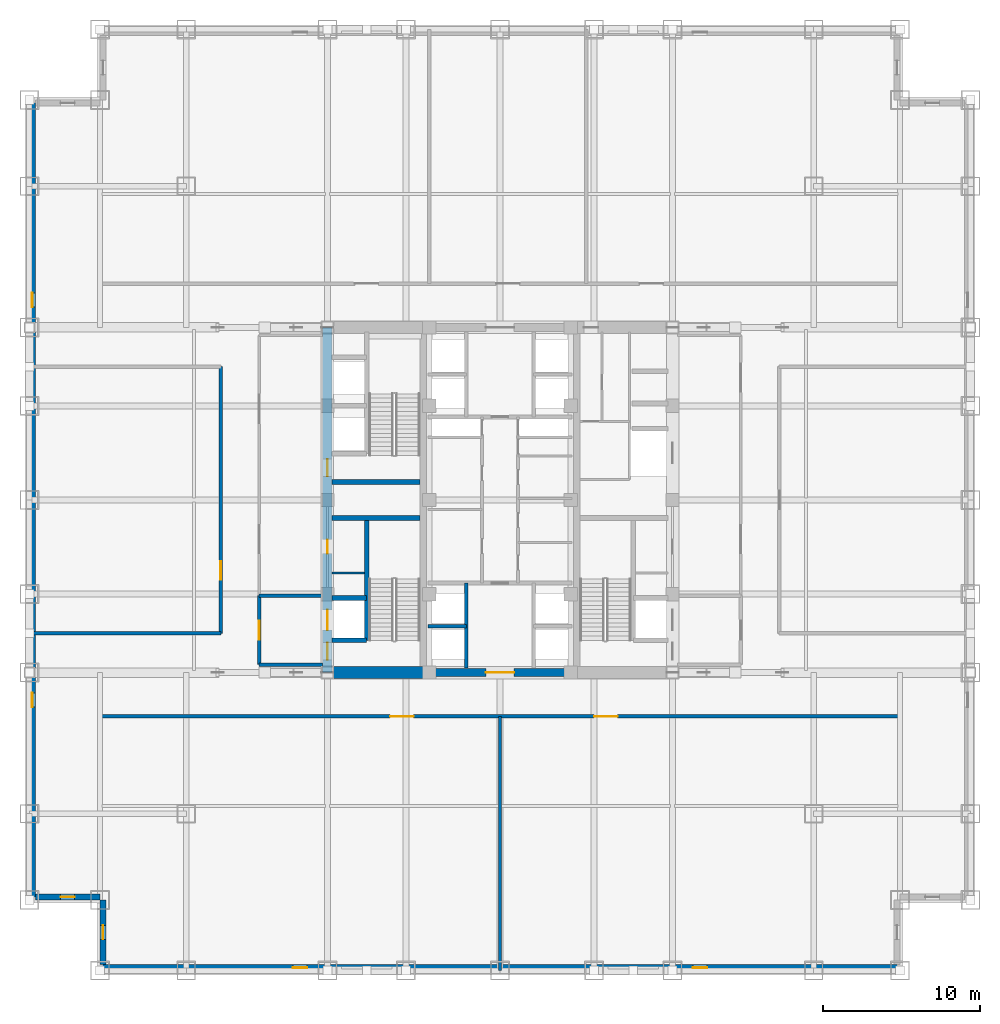
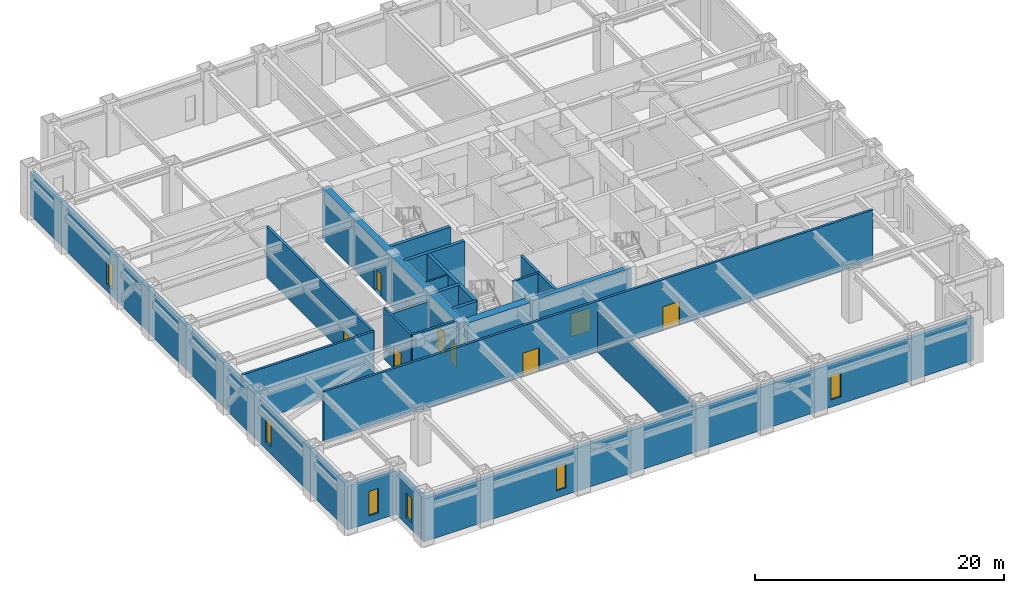
# One storey, part 7 of 12: 22 walls, 9 doors, 6 windows, 15 openings.
"""IFC4 building model written with IfcOpenShell, lengths in metres."""

from ifc_helpers import new_model, si_unit, direction, frame, frame_2d, origin, place, context, subcontext, project, spatial, rectangle, extrude, source, transform, mapped, material, layer, layer_set, type_object, element, fill, save


model = new_model("IFC4")

# Units and contexts
model_context = context("Model", 3, precision=1e-05, world=origin(), true_north=direction((0.0, 1.0)))
body_context = subcontext(model_context, "Body", "Model", "MODEL_VIEW")
ifc_project = project(units=[si_unit("LENGTHUNIT", "METRE"), si_unit("AREAUNIT", "SQUARE_METRE"), si_unit("VOLUMEUNIT", "CUBIC_METRE"), si_unit("PLANEANGLEUNIT", "RADIAN"), si_unit("MASSUNIT", "GRAM", prefix="KILO")], contexts=[model_context])

# Site, building, storey
site_placement = place(None, origin())
site = spatial("IfcSite", under=ifc_project, at=site_placement, CompositionType="ELEMENT")
building_placement = place(site_placement, origin())
building = spatial("IfcBuilding", under=site, at=building_placement, Name="Khorayat Bourse Tower", CompositionType="ELEMENT")
storey_placement = place(building_placement, frame((0.0, 0.0, 149.89990234375)))
storey = spatial("IfcBuildingStorey", under=building, at=storey_placement, Name="L34", CompositionType="ELEMENT", Elevation=149.89990234375)

# Wall, openings, doors
ifc_material_1 = material(Name="Concrete C60/75", Category="concrete")
ifc_layer_1 = layer(ifc_material_1, 0.60009765625)
ifc_layer_set_1 = layer_set([ifc_layer_1], Name="Concrete C60/75")
wall_type_1 = type_object("IfcWallType", Name="WAL-CORE-600", PredefinedType="SHEAR", material=ifc_layer_set_1)
shared_shape_1 = source(origin(), body_context, "Body", "SweptSolid", [
    extrude(rectangle(XDim=22.0, YDim=0.60009765625, at=frame_2d((11.0, 0.0))), origin(), (0.0, 0.0, 1.0), 4.97998046875),
])
wall_1_placement = place(storey_placement, frame((-11.0, -11.0, 0.0), z_axis=(0.0, 0.0, 1.0), x_axis=(0.0, 1.0, 0.0)))
wall_1 = element("IfcWall", 1, at=wall_1_placement, inside=storey, type_object=wall_type_1, Name="L34 Core Shear Wall CORE-W", PredefinedType="SHEAR", context=body_context, shape_type="MappedRepresentation", body=[
    mapped(shared_shape_1, transform((0.0, 0.0, 0.0), scale=1.0)),
])
shared_shape_2 = source(origin(), body_context, "Body", "SweptSolid", [
    extrude(rectangle(XDim=1.10009765625, YDim=2.199951171875, at=frame_2d((0.550048828125, 1.10009765625))), frame((0.0, 0.31005859375, 0.0), z_axis=(0.0, -1.0, 0.0), x_axis=(1.0, 0.0, 0.0)), (0.0, 0.0, 1.0), 0.6201171875),
])
opening_1_placement = place(wall_1_placement, frame((0.800048828125, 0.0, 0.0)))
opening_1 = element("IfcOpeningElement", 2, at=opening_1_placement, cuts=wall_1, Name="Opening DI-01", PredefinedType="OPENING", context=body_context, shape_type="MappedRepresentation", body=[
    mapped(shared_shape_2, transform((0.0, 0.0, 0.0), scale=1.0)),
])
opening_2_placement = place(wall_1_placement, frame((12.5, 0.0, 0.0)))
opening_2 = element("IfcOpeningElement", 3, at=opening_2_placement, cuts=wall_1, Name="Opening DI-01", PredefinedType="OPENING", context=body_context, shape_type="MappedRepresentation", body=[
    mapped(shared_shape_2, transform((0.0, 0.0, 0.0), scale=1.0)),
])
shared_shape_3 = source(origin(), body_context, "Body", "SweptSolid", [
    extrude(rectangle(XDim=0.89990234375, YDim=2.14990234375, at=frame_2d((0.449951171875, 1.074951171875))), frame((0.0, 0.31005859375, 0.0), z_axis=(0.0, -1.0, 0.0), x_axis=(1.0, 0.0, 0.0)), (0.0, 0.0, 1.0), 0.6201171875),
])
opening_3_placement = place(wall_1_placement, frame((7.574951171875, 0.0, 0.0)))
opening_3 = element("IfcOpeningElement", 4, at=opening_3_placement, cuts=wall_1, Name="Opening DI-06", PredefinedType="OPENING", context=body_context, shape_type="MappedRepresentation", body=[
    mapped(shared_shape_3, transform((0.0, 0.0, 0.0), scale=1.0)),
])
shared_shape_4 = source(origin(), body_context, "Body", "SweptSolid", [
    extrude(rectangle(XDim=1.300048828125, YDim=2.300048828125, at=frame_2d((0.64990234375, 1.14990234375))), frame((0.0, 0.31005859375, 0.0), z_axis=(0.0, -1.0, 0.0), x_axis=(1.0, 0.0, 0.0)), (0.0, 0.0, 1.0), 0.6201171875),
])
opening_4_placement = place(wall_1_placement, frame((2.699951171875, 0.0, 0.0)))
opening_4 = element("IfcOpeningElement", 5, at=opening_4_placement, cuts=wall_1, Name="Opening LD-02", PredefinedType="OPENING", context=body_context, shape_type="MappedRepresentation", body=[
    mapped(shared_shape_4, transform((0.0, 0.0, 0.0), scale=1.0)),
])
ifc_material_2 = material(Name="Fire-rated steel acoustic leaf", Category="steel")
door_type_1 = type_object("IfcDoorType", Name="DR-INT-STAIR-1100", OperationType="NOTDEFINED", PredefinedType="DOOR", material=ifc_material_2)
shared_shape_5 = source(origin(), body_context, "Body", "SweptSolid", [
    extrude(rectangle(XDim=1.10009765625, YDim=2.199951171875, at=frame_2d((0.550048828125, 1.10009765625))), frame((0.0, 0.02490234375, 0.0), z_axis=(0.0, -1.0, 0.0), x_axis=(1.0, 0.0, 0.0)), (0.0, 0.0, 1.0), 0.050048828125),
])
door_1_placement = place(opening_1_placement, origin())
door_1 = element("IfcDoor", 6, at=door_1_placement, inside=storey, type_object=door_type_1, Name="L34 Exit Stair 1 Door", OperationType="SINGLE_SWING_RIGHT", OverallHeight=2.199951171875, OverallWidth=1.10009765625, PredefinedType="DOOR", context=body_context, shape_type="MappedRepresentation", body=[
    mapped(shared_shape_5, transform((0.0, 0.0, 0.0), scale=1.0)),
])
fill(opening_1, door_1)
door_2_placement = place(opening_2_placement, origin())
door_2 = element("IfcDoor", 7, at=door_2_placement, inside=storey, type_object=door_type_1, Name="L34 Exit Stair 2 Door", OperationType="SINGLE_SWING_RIGHT", OverallHeight=2.199951171875, OverallWidth=1.10009765625, PredefinedType="DOOR", context=body_context, shape_type="MappedRepresentation", body=[
    mapped(shared_shape_5, transform((0.0, 0.0, 0.0), scale=1.0)),
])
fill(opening_2, door_2)
ifc_material_3 = material(Name="Moisture-resistant laminate washroom door")
door_type_2 = type_object("IfcDoorType", Name="DR-INT-WC-900", OperationType="NOTDEFINED", PredefinedType="DOOR", material=ifc_material_3)
shared_shape_6 = source(origin(), body_context, "Body", "SweptSolid", [
    extrude(rectangle(XDim=0.89990234375, YDim=2.14990234375, at=frame_2d((0.449951171875, 1.074951171875))), frame((0.0, 0.02490234375, 0.0), z_axis=(0.0, -1.0, 0.0), x_axis=(1.0, 0.0, 0.0)), (0.0, 0.0, 1.0), 0.050048828125),
])
door_3_placement = place(opening_3_placement, origin())
door_3 = element("IfcDoor", 8, at=door_3_placement, inside=storey, type_object=door_type_2, Name="L34 UPS Switch Plant Room Door", OperationType="SINGLE_SWING_RIGHT", OverallHeight=2.14990234375, OverallWidth=0.89990234375, PredefinedType="DOOR", context=body_context, shape_type="MappedRepresentation", body=[
    mapped(shared_shape_6, transform((0.0, 0.0, 0.0), scale=1.0)),
])
fill(opening_3, door_3)
ifc_material_4 = material(Name="Fire-rated stainless-steel sliding landing door", Category="steel")
door_type_3 = type_object("IfcDoorType", Name="DR-LIFT-FF-1300", OperationType="NOTDEFINED", PredefinedType="DOOR", material=ifc_material_4)
shared_shape_7 = source(origin(), body_context, "Body", "SweptSolid", [
    extrude(rectangle(XDim=1.300048828125, YDim=2.300048828125, at=frame_2d((0.64990234375, 1.14990234375))), frame((0.0, 0.02490234375, 0.0), z_axis=(0.0, -1.0, 0.0), x_axis=(1.0, 0.0, 0.0)), (0.0, 0.0, 1.0), 0.050048828125),
])
door_4_placement = place(opening_4_placement, origin())
door_4 = element("IfcDoor", 9, at=door_4_placement, inside=storey, type_object=door_type_3, Name="L34 Lift FFL-01 Sliding Landing Door", OperationType="SLIDING_TO_LEFT", OverallHeight=2.300048828125, OverallWidth=1.300048828125, PredefinedType="DOOR", context=body_context, shape_type="MappedRepresentation", body=[
    mapped(shared_shape_7, transform((0.0, 0.0, 0.0), scale=1.0)),
])
fill(opening_4, door_4)

# Walls
ifc_material_5 = material(Name="Concrete C72/90", Category="concrete")
ifc_layer_2 = layer(ifc_material_5, 0.75)
ifc_layer_set_2 = layer_set([ifc_layer_2], Name="Concrete C72/90")
wall_type_2 = type_object("IfcWallType", Name="WAL-CORE-750", PredefinedType="SHEAR", material=ifc_layer_set_2)
shared_shape_8 = source(origin(), body_context, "Body", "SweptSolid", [
    extrude(rectangle(XDim=5.849853515625, YDim=0.75, at=frame_2d((2.9248046875, 0.0))), origin(), (0.0, 0.0, 1.0), 4.97998046875),
])
wall_2_placement = place(storey_placement, frame((-10.699951171875, -11.0, 0.0), z_axis=(0.0, 0.0, 1.0), x_axis=(1.0, 0.0, 0.0)))
element("IfcWall", 10, at=wall_2_placement, inside=storey, type_object=wall_type_2, Name="L34 Core Shear Wall PIER-WS", PredefinedType="SHEAR", context=body_context, shape_type="MappedRepresentation", body=[
    mapped(shared_shape_8, transform((0.0, 0.0, 0.0), scale=1.0)),
])
ifc_material_6 = material(Name="Concrete C50/60", Category="concrete")
ifc_layer_3 = layer(ifc_material_6, 0.300048828125)
ifc_layer_set_3 = layer_set([ifc_layer_3], Name="Concrete C50/60")
wall_type_3 = type_object("IfcWallType", Name="WAL-SHAFT-300", PredefinedType="SHEAR", material=ifc_layer_set_3)
shared_shape_9 = source(origin(), body_context, "Body", "SweptSolid", [
    extrude(rectangle(XDim=5.599853515625, YDim=0.300048828125, at=frame_2d((2.7998046875, 0.0))), origin(), (0.0, 0.0, 1.0), 4.97998046875),
])
for number, where, z_axis, x_axis, name in (
    (11, (-10.699951171875, -1.14990234375, 0.0), (0.0, 0.0, 1.0), (1.0, 0.0, 0.0), "L34 Core Shear Wall ST1-DIV"),
    (12, (-10.699951171875, 1.14990234375, 0.0), (0.0, 0.0, 1.0), (1.0, 0.0, 0.0), "L34 Core Shear Wall ST2-DIV"),
):
    element("IfcWall", number, at=place(storey_placement, frame(where, z_axis=z_axis, x_axis=x_axis)), inside=storey, type_object=wall_type_3, Name=name, PredefinedType="SHEAR", context=body_context, shape_type="MappedRepresentation", body=[
        mapped(shared_shape_9, transform((0.0, 0.0, 0.0), scale=1.0)),
    ])

# Wall, opening, door
ifc_material_7 = material(Name="Concrete C52/65", Category="concrete")
ifc_layer_4 = layer(ifc_material_7, 0.5)
ifc_layer_set_4 = layer_set([ifc_layer_4], Name="Concrete C52/65")
wall_type_4 = type_object("IfcWallType", Name="WAL-CORE-500", PredefinedType="SHEAR", material=ifc_layer_set_4)
shared_shape_10 = source(origin(), body_context, "Body", "SweptSolid", [
    extrude(rectangle(XDim=9.2001953125, YDim=0.5, at=frame_2d((4.60009765625, 0.0))), origin(), (0.0, 0.0, 1.0), 4.97998046875),
])
wall_3_placement = place(storey_placement, frame((-4.60009765625, -11.0, 0.0), z_axis=(0.0, 0.0, 1.0), x_axis=(1.0, 0.0, 0.0)))
wall_3 = element("IfcWall", 13, at=wall_3_placement, inside=storey, type_object=wall_type_4, Name="L34 Core Shear Wall CORE-S", PredefinedType="SHEAR", context=body_context, shape_type="MappedRepresentation", body=[
    mapped(shared_shape_10, transform((0.0, 0.0, 0.0), scale=1.0)),
])
shared_shape_11 = source(origin(), body_context, "Body", "SweptSolid", [
    extrude(rectangle(XDim=1.800048828125, YDim=2.25, at=frame_2d((0.89990234375, 1.125))), frame((0.0, 0.260009765625, 0.0), z_axis=(0.0, -1.0, 0.0), x_axis=(1.0, 0.0, 0.0)), (0.0, 0.0, 1.0), 0.52001953125),
])
opening_5_placement = place(wall_3_placement, frame((3.699951171875, 0.0, 0.0)))
opening_5 = element("IfcOpeningElement", 14, at=opening_5_placement, cuts=wall_3, Name="Opening DI-03", PredefinedType="OPENING", context=body_context, shape_type="MappedRepresentation", body=[
    mapped(shared_shape_11, transform((0.0, 0.0, 0.0), scale=1.0)),
])
ifc_material_8 = material(Name="Fire-rated hardwood vision-panel double leaf", Category="wood")
door_type_4 = type_object("IfcDoorType", Name="DR-INT-CORR-1800", OperationType="NOTDEFINED", PredefinedType="DOOR", material=ifc_material_8)
shared_shape_12 = source(origin(), body_context, "Body", "SweptSolid", [
    extrude(rectangle(XDim=1.800048828125, YDim=2.25, at=frame_2d((0.89990234375, 1.125))), frame((0.0, 0.02490234375, 0.0), z_axis=(0.0, -1.0, 0.0), x_axis=(1.0, 0.0, 0.0)), (0.0, 0.0, 1.0), 0.050048828125),
])
door_5_placement = place(opening_5_placement, origin())
door_5 = element("IfcDoor", 15, at=door_5_placement, inside=storey, type_object=door_type_4, Name="L34 Low-Rise Lift Lobby Door", OperationType="SINGLE_SWING_LEFT", OverallHeight=2.25, OverallWidth=1.800048828125, PredefinedType="DOOR", context=body_context, shape_type="MappedRepresentation", body=[
    mapped(shared_shape_12, transform((0.0, 0.0, 0.0), scale=1.0)),
])
fill(opening_5, door_5)

# Wall, opening, window
ifc_material_9 = material(Name="Precast concrete C45/55", Category="concrete")
ifc_layer_5 = layer(ifc_material_9, 0.3798828125)
ifc_layer_set_5 = layer_set([ifc_layer_5], Name="Precast concrete C45/55")
wall_type_5 = type_object("IfcWallType", Name="WAL-EXT-STONE-380", PredefinedType="STANDARD", material=ifc_layer_set_5)
shared_shape_13 = source(origin(), body_context, "Body", "SweptSolid", [
    extrude(rectangle(XDim=4.1201171875, YDim=0.3798828125, at=frame_2d((2.06005859375, 0.0))), origin(), (0.0, 0.0, 1.0), 4.28515625),
])
wall_4_placement = place(storey_placement, frame((-25.5, -25.31005859375, 0.0), z_axis=(0.0, 0.0, 1.0), x_axis=(-1.0, 0.0, 0.0)))
wall_4 = element("IfcWall", 16, at=wall_4_placement, inside=storey, type_object=wall_type_5, Name="L34 Re-Entrant Notch Limestone Wall SW-H", PredefinedType="STANDARD", context=body_context, shape_type="MappedRepresentation", body=[
    mapped(shared_shape_13, transform((0.0, 0.0, 0.0), scale=1.0)),
])
shared_shape_14 = source(origin(), body_context, "Body", "SweptSolid", [
    extrude(rectangle(XDim=0.89990234375, YDim=2.39990234375, at=frame_2d((0.449951171875, 1.199951171875))), frame((0.0, 0.199951171875, 0.0), z_axis=(0.0, -1.0, 0.0), x_axis=(1.0, 0.0, 0.0)), (0.0, 0.0, 1.0), 0.39990234375),
])
opening_6_placement = place(wall_4_placement, frame((1.610107421875, 0.0, 0.699951171875)))
opening_6 = element("IfcOpeningElement", 17, at=opening_6_placement, cuts=wall_4, Name="Opening WN-03", PredefinedType="OPENING", context=body_context, shape_type="MappedRepresentation", body=[
    mapped(shared_shape_14, transform((0.0, 0.0, 0.0), scale=1.0)),
])
ifc_material_10 = material(Name="Deep-reveal solar-control double glazing", Category="glass")
window_type = type_object("IfcWindowType", Name="WIN-SLOT-900x2400", PartitioningType="SINGLE_PANEL", PredefinedType="WINDOW", material=ifc_material_10)
shared_shape_15 = source(origin(), body_context, "Body", "SweptSolid", [
    extrude(rectangle(XDim=0.89990234375, YDim=2.39990234375, at=frame_2d((0.449951171875, 1.199951171875))), frame((0.0, 0.030029296875, 0.0), z_axis=(0.0, -1.0, 0.0), x_axis=(1.0, 0.0, 0.0)), (0.0, 0.0, 1.0), 0.06005859375),
])
window_1_placement = place(opening_6_placement, origin())
window_1 = element("IfcWindow", 18, at=window_1_placement, inside=storey, type_object=window_type, Name="L34 Facade Window 1", OverallHeight=2.39990234375, OverallWidth=0.89990234375, PartitioningType="SINGLE_PANEL", PredefinedType="WINDOW", context=body_context, shape_type="MappedRepresentation", body=[
    mapped(shared_shape_15, transform((0.0, 0.0, 0.0), scale=1.0)),
])
fill(opening_6, window_1)

shared_shape_16 = source(origin(), body_context, "Body", "SweptSolid", [
    extrude(rectangle(XDim=4.1201171875, YDim=0.3798828125, at=frame_2d((2.06005859375, 0.0))), origin(), (0.0, 0.0, 1.0), 4.205078125),
])
wall_5_placement = place(storey_placement, frame((-25.31005859375, -29.6201171875, 0.0), z_axis=(0.0, 0.0, 1.0), x_axis=(0.0, 1.0, 0.0)))
wall_5 = element("IfcWall", 19, at=wall_5_placement, inside=storey, type_object=wall_type_5, Name="L34 Re-Entrant Notch Limestone Wall SW-V", PredefinedType="STANDARD", context=body_context, shape_type="MappedRepresentation", body=[
    mapped(shared_shape_16, transform((0.0, 0.0, 0.0), scale=1.0)),
])
opening_7_placement = place(wall_5_placement, frame((1.610107421875, 0.0, 0.699951171875)))
opening_7 = element("IfcOpeningElement", 20, at=opening_7_placement, cuts=wall_5, Name="Opening WN-03", PredefinedType="OPENING", context=body_context, shape_type="MappedRepresentation", body=[
    mapped(shared_shape_14, transform((0.0, 0.0, 0.0), scale=1.0)),
])
window_2_placement = place(opening_7_placement, origin())
window_2 = element("IfcWindow", 21, at=window_2_placement, inside=storey, type_object=window_type, Name="L34 Facade Window 1", OverallHeight=2.39990234375, OverallWidth=0.89990234375, PartitioningType="SINGLE_PANEL", PredefinedType="WINDOW", context=body_context, shape_type="MappedRepresentation", body=[
    mapped(shared_shape_15, transform((0.0, 0.0, 0.0), scale=1.0)),
])
fill(opening_7, window_2)

# Wall, openings, windows
shared_shape_17 = source(origin(), body_context, "Body", "SweptSolid", [
    extrude(rectangle(XDim=51.0, YDim=0.3798828125, at=frame_2d((25.5, 0.0))), origin(), (0.0, 0.0, 1.0), 4.205078125),
])
wall_6_placement = place(storey_placement, frame((-25.5, -29.81005859375, 0.0), z_axis=(0.0, 0.0, 1.0), x_axis=(1.0, 0.0, 0.0)))
wall_6 = element("IfcWall", 22, at=wall_6_placement, inside=storey, type_object=wall_type_5, Name="L34 Plant Perimeter Wall S", PredefinedType="STANDARD", context=body_context, shape_type="MappedRepresentation", body=[
    mapped(shared_shape_17, transform((0.0, 0.0, 0.0), scale=1.0)),
])
opening_8_placement = place(wall_6_placement, frame((12.300048828125, 0.0, 0.699951171875)))
opening_8 = element("IfcOpeningElement", 23, at=opening_8_placement, cuts=wall_6, Name="Opening WN-03", PredefinedType="OPENING", context=body_context, shape_type="MappedRepresentation", body=[
    mapped(shared_shape_14, transform((0.0, 0.0, 0.0), scale=1.0)),
])
opening_9_placement = place(wall_6_placement, frame((37.800048828125, 0.0, 0.699951171875)))
opening_9 = element("IfcOpeningElement", 24, at=opening_9_placement, cuts=wall_6, Name="Opening WN-03", PredefinedType="OPENING", context=body_context, shape_type="MappedRepresentation", body=[
    mapped(shared_shape_14, transform((0.0, 0.0, 0.0), scale=1.0)),
])
window_3_placement = place(opening_8_placement, origin())
window_3 = element("IfcWindow", 25, at=window_3_placement, inside=storey, type_object=window_type, Name="L34 Facade Window 1", OverallHeight=2.39990234375, OverallWidth=0.89990234375, PartitioningType="SINGLE_PANEL", PredefinedType="WINDOW", context=body_context, shape_type="MappedRepresentation", body=[
    mapped(shared_shape_15, transform((0.0, 0.0, 0.0), scale=1.0)),
])
fill(opening_8, window_3)
window_4_placement = place(opening_9_placement, origin())
window_4 = element("IfcWindow", 26, at=window_4_placement, inside=storey, type_object=window_type, Name="L34 Facade Window 3", OverallHeight=2.39990234375, OverallWidth=0.89990234375, PartitioningType="SINGLE_PANEL", PredefinedType="WINDOW", context=body_context, shape_type="MappedRepresentation", body=[
    mapped(shared_shape_15, transform((0.0, 0.0, 0.0), scale=1.0)),
])
fill(opening_9, window_4)

shared_shape_18 = source(origin(), body_context, "Body", "SweptSolid", [
    extrude(rectangle(XDim=51.0, YDim=0.3798828125, at=frame_2d((25.5, 0.0))), origin(), (0.0, 0.0, 1.0), 4.28515625),
])
wall_7_placement = place(storey_placement, frame((-29.81005859375, -25.5, 0.0), z_axis=(0.0, 0.0, 1.0), x_axis=(0.0, 1.0, 0.0)))
wall_7 = element("IfcWall", 27, at=wall_7_placement, inside=storey, type_object=wall_type_5, Name="L34 Plant Perimeter Wall W", PredefinedType="STANDARD", context=body_context, shape_type="MappedRepresentation", body=[
    mapped(shared_shape_18, transform((0.0, 0.0, 0.0), scale=1.0)),
])
opening_10_placement = place(wall_7_placement, frame((12.300048828125, 0.0, 0.699951171875)))
opening_10 = element("IfcOpeningElement", 28, at=opening_10_placement, cuts=wall_7, Name="Opening WN-03", PredefinedType="OPENING", context=body_context, shape_type="MappedRepresentation", body=[
    mapped(shared_shape_14, transform((0.0, 0.0, 0.0), scale=1.0)),
])
opening_11_placement = place(wall_7_placement, frame((37.800048828125, 0.0, 0.699951171875)))
opening_11 = element("IfcOpeningElement", 29, at=opening_11_placement, cuts=wall_7, Name="Opening WN-03", PredefinedType="OPENING", context=body_context, shape_type="MappedRepresentation", body=[
    mapped(shared_shape_14, transform((0.0, 0.0, 0.0), scale=1.0)),
])
window_5_placement = place(opening_10_placement, origin())
window_5 = element("IfcWindow", 30, at=window_5_placement, inside=storey, type_object=window_type, Name="L34 Facade Window 1", OverallHeight=2.39990234375, OverallWidth=0.89990234375, PartitioningType="SINGLE_PANEL", PredefinedType="WINDOW", context=body_context, shape_type="MappedRepresentation", body=[
    mapped(shared_shape_15, transform((0.0, 0.0, 0.0), scale=1.0)),
])
fill(opening_10, window_5)
window_6_placement = place(opening_11_placement, origin())
window_6 = element("IfcWindow", 31, at=window_6_placement, inside=storey, type_object=window_type, Name="L34 Facade Window 3", OverallHeight=2.39990234375, OverallWidth=0.89990234375, PartitioningType="SINGLE_PANEL", PredefinedType="WINDOW", context=body_context, shape_type="MappedRepresentation", body=[
    mapped(shared_shape_15, transform((0.0, 0.0, 0.0), scale=1.0)),
])
fill(opening_11, window_6)

# Walls
shared_shape_19 = source(origin(), body_context, "Body", "SweptSolid", [
    extrude(rectangle(XDim=7.800048828125, YDim=0.300048828125, at=frame_2d((3.89990234375, 0.0))), origin(), (0.0, 0.0, 1.0), 4.97998046875),
])
wall_8_placement = place(storey_placement, frame((-8.5, -8.949951171875, 0.0), z_axis=(0.0, 0.0, 1.0), x_axis=(0.0, 1.0, 0.0)))
element("IfcWall", 32, at=wall_8_placement, inside=storey, type_object=wall_type_3, Name="L34 Partition WAL-L34-WPIER-SP", PredefinedType="SHEAR", context=body_context, shape_type="MappedRepresentation", body=[
    mapped(shared_shape_19, transform((0.0, 0.0, 0.0), scale=1.0)),
])
shared_shape_20 = source(origin(), body_context, "Body", "SweptSolid", [
    extrude(rectangle(XDim=2.199951171875, YDim=0.300048828125, at=frame_2d((1.10009765625, 0.0))), origin(), (0.0, 0.0, 1.0), 4.97998046875),
])
for number, where, z_axis, x_axis, name in (
    (33, (-10.699951171875, -8.949951171875, 0.0), (0.0, 0.0, 1.0), (1.0, 0.0, 0.0), "L34 Partition WAL-L34-WPIER-FF1S"),
    (34, (-10.699951171875, -6.25, 0.0), (0.0, 0.0, 1.0), (1.0, 0.0, 0.0), "L34 Partition WAL-L34-WPIER-FF1N"),
):
    element("IfcWall", number, at=place(storey_placement, frame(where, z_axis=z_axis, x_axis=x_axis)), inside=storey, type_object=wall_type_3, Name=name, PredefinedType="SHEAR", context=body_context, shape_type="MappedRepresentation", body=[
        mapped(shared_shape_20, transform((0.0, 0.0, 0.0), scale=1.0)),
    ])
ifc_material_11 = material(Name="Gypsum plasterboard twin-frame partition")
ifc_layer_6 = layer(ifc_material_11, 0.14990234375)
ifc_layer_set_6 = layer_set([ifc_layer_6], Name="Gypsum plasterboard twin-frame partition")
wall_type_6 = type_object("IfcWallType", Name="WAL-PART-SUITE-150", PredefinedType="PARTITIONING", material=ifc_layer_set_6)
shared_shape_21 = source(origin(), body_context, "Body", "SweptSolid", [
    extrude(rectangle(XDim=2.050048828125, YDim=0.14990234375, at=frame_2d((1.02490234375, 0.0))), origin(), (0.0, 0.0, 1.0), 4.97998046875),
])
wall_9_placement = place(storey_placement, frame((-10.699951171875, -4.64990234375, 0.0), z_axis=(0.0, 0.0, 1.0), x_axis=(1.0, 0.0, 0.0)))
element("IfcWall", 35, at=wall_9_placement, inside=storey, type_object=wall_type_6, Name="L34 Partition WAL-L34-WSRV-S0", PredefinedType="PARTITIONING", context=body_context, shape_type="MappedRepresentation", body=[
    mapped(shared_shape_21, transform((0.0, 0.0, 0.0), scale=1.0)),
])
ifc_material_12 = material(Name="Aerated concrete blockwork", Category="masonry")
ifc_layer_7 = layer(ifc_material_12, 0.219970703125)
ifc_layer_set_7 = layer_set([ifc_layer_7], Name="Aerated concrete blockwork")
wall_type_7 = type_object("IfcWallType", Name="WAL-PART-FF-220", PredefinedType="PARTITIONING", material=ifc_layer_set_7)
shared_shape_22 = source(origin(), body_context, "Body", "SweptSolid", [
    extrude(rectangle(XDim=4.050048828125, YDim=0.219970703125, at=frame_2d((2.02490234375, 0.0))), origin(), (0.0, 0.0, 1.0), 4.97998046875),
])
wall_10_placement = place(storey_placement, frame((-15.35009765625, -10.5, 0.0), z_axis=(0.0, 0.0, 1.0), x_axis=(1.0, 0.0, 0.0)))
element("IfcWall", 36, at=wall_10_placement, inside=storey, type_object=wall_type_7, Name="L34 Partition WAL-L34-FFLW-S", PredefinedType="PARTITIONING", context=body_context, shape_type="MappedRepresentation", body=[
    mapped(shared_shape_22, transform((0.0, 0.0, 0.0), scale=1.0)),
])
shared_shape_23 = source(origin(), body_context, "Body", "SweptSolid", [
    extrude(rectangle(XDim=4.050048828125, YDim=0.219970703125, at=frame_2d((2.02490234375, 0.0))), origin(), (0.0, 0.0, 1.0), 4.20703125),
])
wall_11_placement = place(storey_placement, frame((-15.35009765625, -6.10009765625, 0.0), z_axis=(0.0, 0.0, 1.0), x_axis=(1.0, 0.0, 0.0)))
element("IfcWall", 37, at=wall_11_placement, inside=storey, type_object=wall_type_7, Name="L34 Partition WAL-L34-FFLW-N", PredefinedType="PARTITIONING", context=body_context, shape_type="MappedRepresentation", body=[
    mapped(shared_shape_23, transform((0.0, 0.0, 0.0), scale=1.0)),
])

# Wall, opening, door
shared_shape_24 = source(origin(), body_context, "Body", "SweptSolid", [
    extrude(rectangle(XDim=4.39990234375, YDim=0.219970703125, at=frame_2d((2.199951171875, 0.0))), origin(), (0.0, 0.0, 1.0), 4.97998046875),
])
wall_12_placement = place(storey_placement, frame((-15.35009765625, -10.5, 0.0), z_axis=(0.0, 0.0, 1.0), x_axis=(0.0, 1.0, 0.0)))
wall_12 = element("IfcWall", 38, at=wall_12_placement, inside=storey, type_object=wall_type_7, Name="L34 Partition WAL-L34-FFLW-W", PredefinedType="PARTITIONING", context=body_context, shape_type="MappedRepresentation", body=[
    mapped(shared_shape_24, transform((0.0, 0.0, 0.0), scale=1.0)),
])
shared_shape_25 = source(origin(), body_context, "Body", "SweptSolid", [
    extrude(rectangle(XDim=1.199951171875, YDim=2.199951171875, at=frame_2d((0.60009765625, 1.10009765625))), frame((0.0, 0.119873046875, 0.0), z_axis=(0.0, -1.0, 0.0), x_axis=(1.0, 0.0, 0.0)), (0.0, 0.0, 1.0), 0.239990234375),
])
opening_12_placement = place(wall_12_placement, frame((1.60009765625, 0.0, 0.0)))
opening_12 = element("IfcOpeningElement", 39, at=opening_12_placement, cuts=wall_12, Name="Opening DI-02", PredefinedType="OPENING", context=body_context, shape_type="MappedRepresentation", body=[
    mapped(shared_shape_25, transform((0.0, 0.0, 0.0), scale=1.0)),
])
ifc_material_13 = material(Name="Fire-rated steel double-seal leaf", Category="steel")
door_type_5 = type_object("IfcDoorType", Name="DR-INT-FFLOBBY-1200", OperationType="NOTDEFINED", PredefinedType="DOOR", material=ifc_material_13)
shared_shape_26 = source(origin(), body_context, "Body", "SweptSolid", [
    extrude(rectangle(XDim=1.199951171875, YDim=2.199951171875, at=frame_2d((0.60009765625, 1.10009765625))), frame((0.0, 0.02490234375, 0.0), z_axis=(0.0, -1.0, 0.0), x_axis=(1.0, 0.0, 0.0)), (0.0, 0.0, 1.0), 0.050048828125),
])
door_6_placement = place(opening_12_placement, origin())
door_6 = element("IfcDoor", 40, at=door_6_placement, inside=storey, type_object=door_type_5, Name="L34 West Firefighting Lobby Door", OperationType="SINGLE_SWING_LEFT", OverallHeight=2.199951171875, OverallWidth=1.199951171875, PredefinedType="DOOR", context=body_context, shape_type="MappedRepresentation", body=[
    mapped(shared_shape_26, transform((0.0, 0.0, 0.0), scale=1.0)),
])
fill(opening_12, door_6)

# Walls
shared_shape_27 = source(origin(), body_context, "Body", "SweptSolid", [
    extrude(rectangle(XDim=5.39990234375, YDim=0.25, at=frame_2d((2.699951171875, 0.0))), origin(), (0.0, 0.0, 1.0), 4.97998046875),
])
wall_13_placement = place(storey_placement, frame((-2.14990234375, -10.699951171875, 0.0), z_axis=(0.0, 0.0, 1.0), x_axis=(0.0, 1.0, 0.0)))
element("IfcWall", 41, at=wall_13_placement, inside=storey, type_object=wall_type_3, Name="L34 Partition WAL-L34-B1-W", PredefinedType="SHEAR", context=body_context, shape_type="MappedRepresentation", body=[
    mapped(shared_shape_27, transform((0.0, 0.0, 0.0), scale=1.0)),
])
shared_shape_28 = source(origin(), body_context, "Body", "SweptSolid", [
    extrude(rectangle(XDim=2.4501953125, YDim=0.199951171875, at=frame_2d((1.22509765625, 0.0))), origin(), (0.0, 0.0, 1.0), 4.97998046875),
])
wall_14_placement = place(storey_placement, frame((-4.60009765625, -8.050048828125, 0.0), z_axis=(0.0, 0.0, 1.0), x_axis=(1.0, 0.0, 0.0)))
element("IfcWall", 42, at=wall_14_placement, inside=storey, type_object=wall_type_3, Name="L34 Partition WAL-L34-B1-MW", PredefinedType="SHEAR", context=body_context, shape_type="MappedRepresentation", body=[
    mapped(shared_shape_28, transform((0.0, 0.0, 0.0), scale=1.0)),
])
shared_shape_29 = source(origin(), body_context, "Body", "SweptSolid", [
    extrude(rectangle(XDim=16.199951171875, YDim=0.219970703125, at=frame_2d((8.10009765625, 0.0))), origin(), (0.0, 0.0, 1.0), 4.127197265625),
])
wall_15_placement = place(storey_placement, frame((0.0, -30.0, 0.0), z_axis=(0.0, 0.0, 1.0), x_axis=(0.0, 1.0, 0.0)))
element("IfcWall", 43, at=wall_15_placement, inside=storey, type_object=wall_type_7, Name="L34 Partition WAL-L34-PLS-DIV", PredefinedType="PARTITIONING", context=body_context, shape_type="MappedRepresentation", body=[
    mapped(shared_shape_29, transform((0.0, 0.0, 0.0), scale=1.0)),
])

# Wall, openings, doors
shared_shape_30 = source(origin(), body_context, "Body", "SweptSolid", [
    extrude(rectangle(XDim=51.0, YDim=0.219970703125, at=frame_2d((25.5, 0.0))), origin(), (0.0, 0.0, 1.0), 4.97998046875),
])
wall_16_placement = place(storey_placement, frame((-25.5, -13.800048828125, 0.0), z_axis=(0.0, 0.0, 1.0), x_axis=(1.0, 0.0, 0.0)))
wall_16 = element("IfcWall", 44, at=wall_16_placement, inside=storey, type_object=wall_type_7, Name="L34 Partition WAL-L34-PLS-N", PredefinedType="PARTITIONING", context=body_context, shape_type="MappedRepresentation", body=[
    mapped(shared_shape_30, transform((0.0, 0.0, 0.0), scale=1.0)),
])
shared_shape_31 = source(origin(), body_context, "Body", "SweptSolid", [
    extrude(rectangle(XDim=1.5, YDim=2.300048828125, at=frame_2d((0.75, 1.14990234375))), frame((0.0, 0.119873046875, 0.0), z_axis=(0.0, -1.0, 0.0), x_axis=(1.0, 0.0, 0.0)), (0.0, 0.0, 1.0), 0.239990234375),
])
opening_13_placement = place(wall_16_placement, frame((18.5, 0.0, 0.0)))
opening_13 = element("IfcOpeningElement", 45, at=opening_13_placement, cuts=wall_16, Name="Opening DI-07", PredefinedType="OPENING", context=body_context, shape_type="MappedRepresentation", body=[
    mapped(shared_shape_31, transform((0.0, 0.0, 0.0), scale=1.0)),
])
opening_14_placement = place(wall_16_placement, frame((31.5, 0.0, 0.0)))
opening_14 = element("IfcOpeningElement", 46, at=opening_14_placement, cuts=wall_16, Name="Opening DI-07", PredefinedType="OPENING", context=body_context, shape_type="MappedRepresentation", body=[
    mapped(shared_shape_31, transform((0.0, 0.0, 0.0), scale=1.0)),
])
ifc_material_14 = material(Name="Louvred fire-rated steel plant double door", Category="steel")
door_type_6 = type_object("IfcDoorType", Name="DR-INT-PLANT-1500", OperationType="NOTDEFINED", PredefinedType="DOOR", material=ifc_material_14)
shared_shape_32 = source(origin(), body_context, "Body", "SweptSolid", [
    extrude(rectangle(XDim=1.5, YDim=2.300048828125, at=frame_2d((0.75, 1.14990234375))), frame((0.0, 0.02490234375, 0.0), z_axis=(0.0, -1.0, 0.0), x_axis=(1.0, 0.0, 0.0)), (0.0, 0.0, 1.0), 0.050048828125),
])
door_7_placement = place(opening_13_placement, origin())
door_7 = element("IfcDoor", 47, at=door_7_placement, inside=storey, type_object=door_type_6, Name="L34 Chiller Plant Door", OperationType="SINGLE_SWING_LEFT", OverallHeight=2.300048828125, OverallWidth=1.5, PredefinedType="DOOR", context=body_context, shape_type="MappedRepresentation", body=[
    mapped(shared_shape_32, transform((0.0, 0.0, 0.0), scale=1.0)),
])
fill(opening_13, door_7)
door_8_placement = place(opening_14_placement, origin())
door_8 = element("IfcDoor", 48, at=door_8_placement, inside=storey, type_object=door_type_6, Name="L34 Pump Plant Door", OperationType="SINGLE_SWING_RIGHT", OverallHeight=2.300048828125, OverallWidth=1.5, PredefinedType="DOOR", context=body_context, shape_type="MappedRepresentation", body=[
    mapped(shared_shape_32, transform((0.0, 0.0, 0.0), scale=1.0)),
])
fill(opening_14, door_8)

# Wall
shared_shape_33 = source(origin(), body_context, "Body", "SweptSolid", [
    extrude(rectangle(XDim=12.199951171875, YDim=0.219970703125, at=frame_2d((6.10009765625, 0.0))), origin(), (0.0, 0.0, 1.0), 4.97998046875),
])
wall_17_placement = place(storey_placement, frame((-30.0, -8.5, 0.0), z_axis=(0.0, 0.0, 1.0), x_axis=(1.0, 0.0, 0.0)))
element("IfcWall", 49, at=wall_17_placement, inside=storey, type_object=wall_type_7, Name="L34 Partition WAL-L34-PLW-S", PredefinedType="PARTITIONING", context=body_context, shape_type="MappedRepresentation", body=[
    mapped(shared_shape_33, transform((0.0, 0.0, 0.0), scale=1.0)),
])

# Wall, opening, door
shared_shape_34 = source(origin(), body_context, "Body", "SweptSolid", [
    extrude(rectangle(XDim=17.0, YDim=0.219970703125, at=frame_2d((8.5, 0.0))), origin(), (0.0, 0.0, 1.0), 4.97998046875),
])
wall_18_placement = place(storey_placement, frame((-17.800048828125, -8.5, 0.0), z_axis=(0.0, 0.0, 1.0), x_axis=(0.0, 1.0, 0.0)))
wall_18 = element("IfcWall", 50, at=wall_18_placement, inside=storey, type_object=wall_type_7, Name="L34 Partition WAL-L34-PLW-E", PredefinedType="PARTITIONING", context=body_context, shape_type="MappedRepresentation", body=[
    mapped(shared_shape_34, transform((0.0, 0.0, 0.0), scale=1.0)),
])
opening_15_placement = place(wall_18_placement, frame((3.39990234375, 0.0, 0.0)))
opening_15 = element("IfcOpeningElement", 51, at=opening_15_placement, cuts=wall_18, Name="Opening DI-02", PredefinedType="OPENING", context=body_context, shape_type="MappedRepresentation", body=[
    mapped(shared_shape_25, transform((0.0, 0.0, 0.0), scale=1.0)),
])
door_9_placement = place(opening_15_placement, origin())
door_9 = element("IfcDoor", 52, at=door_9_placement, inside=storey, type_object=door_type_5, Name="L34 Protected Area of Refuge West South Door", OperationType="SINGLE_SWING_LEFT", OverallHeight=2.199951171875, OverallWidth=1.199951171875, PredefinedType="DOOR", context=body_context, shape_type="MappedRepresentation", body=[
    mapped(shared_shape_26, transform((0.0, 0.0, 0.0), scale=1.0)),
])
fill(opening_15, door_9)

save(model, "model.ifc")
